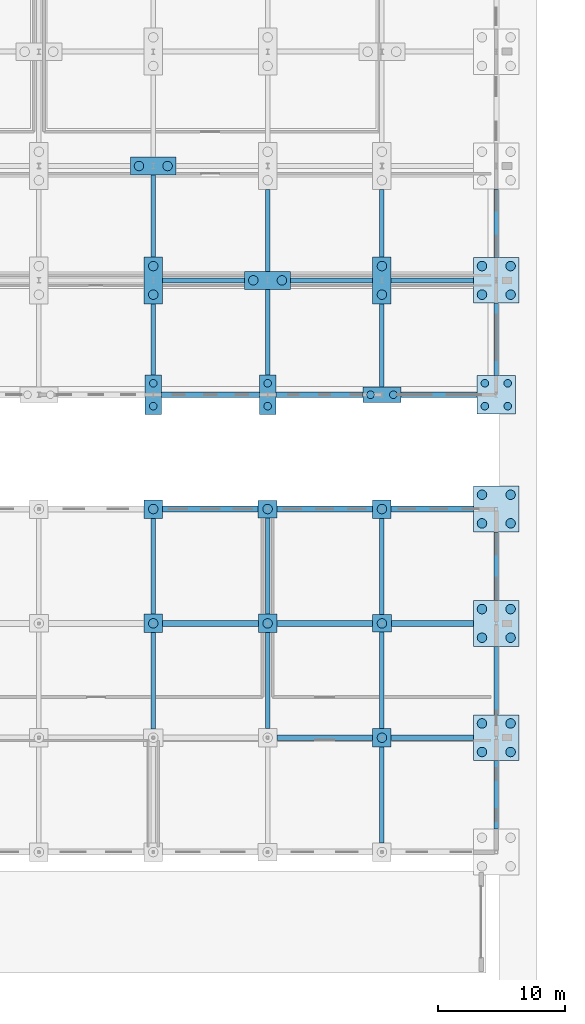
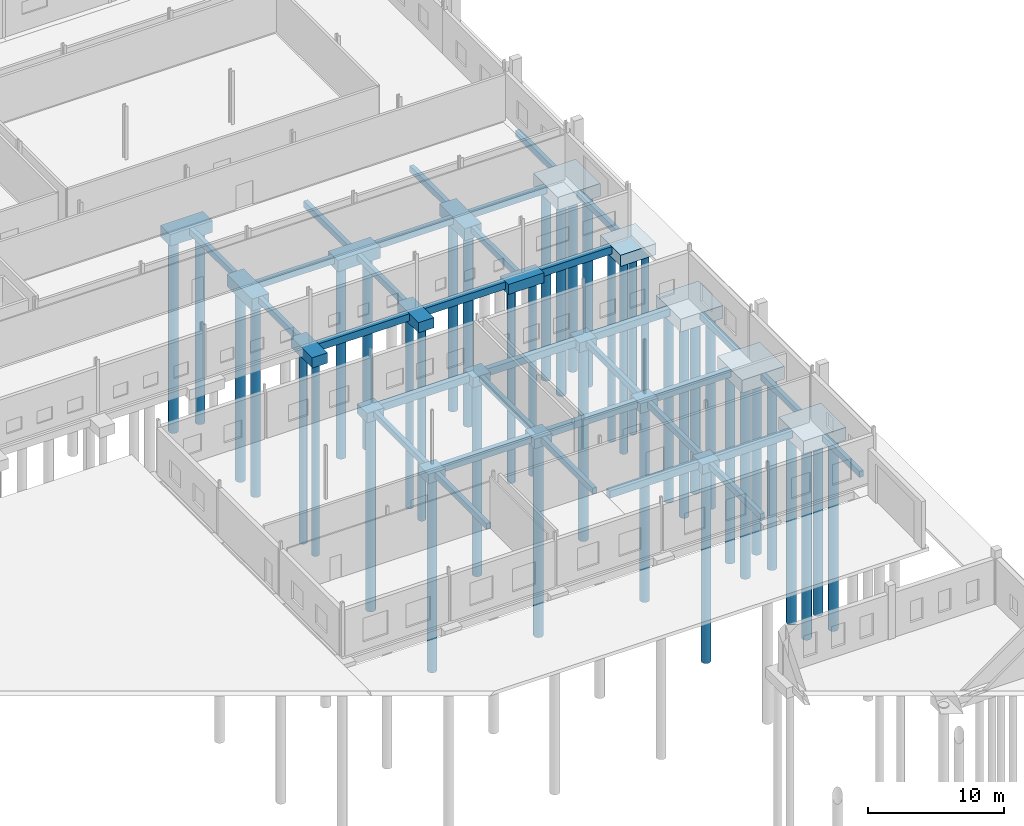
# One storey, part 15 of 112: 51 footings, 41 piles.
"""IFC4 building model written with IfcOpenShell, lengths in metres."""

from ifc_helpers import new_model, si_unit, direction, frame, origin, origin_2d, place, context, subcontext, project, spatial, polyline, rectangle, circle, outline, extrude, material, material_profile, profile_set, type_object, element, save


model = new_model("IFC4")

# Units and contexts
model_context = context("Model", 3, precision=1e-05, world=origin(), true_north=direction((0.0, 1.0)))
body_context = subcontext(model_context, "Body", "Model", "MODEL_VIEW")
ifc_project = project(units=[si_unit("LENGTHUNIT", "METRE"), si_unit("AREAUNIT", "SQUARE_METRE"), si_unit("VOLUMEUNIT", "CUBIC_METRE"), si_unit("PLANEANGLEUNIT", "RADIAN"), si_unit("MASSUNIT", "GRAM", prefix="KILO")], contexts=[model_context])

# Site, building, storey
site_placement = place(None, origin())
site = spatial("IfcSite", under=ifc_project, at=site_placement, CompositionType="ELEMENT")
building_placement = place(site_placement, origin())
building = spatial("IfcBuilding", under=site, at=building_placement, Name="Tharagai Park Tramway Depot", CompositionType="ELEMENT")
storey_placement = place(building_placement, origin())
storey = spatial("IfcBuildingStorey", under=building, at=storey_placement, Name="L00", CompositionType="ELEMENT", Elevation=0.0)

# Piles
ifc_material = material(Name="Concrete M40", Category="concrete")
ifc_material_profile_1 = material_profile(ifc_material, circle(Radius=0.375, at=origin_2d()), Name="PILE D750")
ifc_profile_set_1 = profile_set([ifc_material_profile_1], Name="Concrete M40")
pile_type_1 = type_object("IfcPileType", Name="BP-02", PredefinedType="BORED", material=ifc_profile_set_1)
for number, where, z_axis, x_axis, name in (
    (1, (189.0, 72.0, -1.050048828125), (0.0, 0.0, -1.0), (1.0, 0.0, 0.0), "Bored Pile BP-02 (189,72) #1"),
    (2, (189.0, 81.0, -1.050048828125), (0.0, 0.0, -1.0), (1.0, 0.0, 0.0), "Bored Pile BP-02 (189,81) #1"),
):
    element("IfcPile", number, at=place(storey_placement, frame(where, z_axis=z_axis, x_axis=x_axis)), inside=storey, type_object=pile_type_1, Name=name, PredefinedType="BORED", context=body_context, shape_type="SweptSolid", body=[
        extrude(circle(Radius=0.375, at=origin_2d()), origin(), (0.0, 0.0, 1.0), 17.449951171875),
    ])
for number, where, z_axis, x_axis, name in (
    (3, (189.0, 97.875, -1.280029296875), (0.0, 0.0, -1.0), (1.0, 0.0, 0.0), "Bored Pile BP-02 (189,99) #1"),
    (4, (189.0, 100.125, -1.280029296875), (0.0, 0.0, -1.0), (1.0, 0.0, 0.0), "Bored Pile BP-02 (189,99) #2"),
):
    element("IfcPile", number, at=place(storey_placement, frame(where, z_axis=z_axis, x_axis=x_axis)), inside=storey, type_object=pile_type_1, Name=name, PredefinedType="BORED", context=body_context, shape_type="SweptSolid", body=[
        extrude(circle(Radius=0.375, at=origin_2d()), origin(), (0.0, 0.0, 1.0), 17.219970703125),
    ])
for number, where, z_axis, x_axis, name in (
    (5, (187.875, 108.0, -1.25), (0.0, 0.0, -1.0), (1.0, 0.0, 0.0), "Bored Pile BP-02 (189,108) #1"),
    (6, (190.125, 108.0, -1.25), (0.0, 0.0, -1.0), (1.0, 0.0, 0.0), "Bored Pile BP-02 (189,108) #2"),
):
    element("IfcPile", number, at=place(storey_placement, frame(where, z_axis=z_axis, x_axis=x_axis)), inside=storey, type_object=pile_type_1, Name=name, PredefinedType="BORED", context=body_context, shape_type="SweptSolid", body=[
        extrude(circle(Radius=0.375, at=origin_2d()), origin(), (0.0, 0.0, 1.0), 17.25),
    ])
pile_1_placement = place(storey_placement, frame((198.0, 72.0, -1.050048828125), z_axis=(0.0, 0.0, -1.0), x_axis=(1.0, 0.0, 0.0)))
element("IfcPile", 7, at=pile_1_placement, inside=storey, type_object=pile_type_1, Name="Bored Pile BP-02 (198,72) #1", PredefinedType="BORED", context=body_context, shape_type="SweptSolid", body=[
    extrude(circle(Radius=0.375, at=origin_2d()), origin(), (0.0, 0.0, 1.0), 17.449951171875),
])
pile_2_placement = place(storey_placement, frame((198.0, 81.0, -1.080078125), z_axis=(0.0, 0.0, -1.0), x_axis=(1.0, 0.0, 0.0)))
element("IfcPile", 8, at=pile_2_placement, inside=storey, type_object=pile_type_1, Name="Bored Pile BP-02 (198,81) #1", PredefinedType="BORED", context=body_context, shape_type="SweptSolid", body=[
    extrude(circle(Radius=0.375, at=origin_2d()), origin(), (0.0, 0.0, 1.0), 17.419921875),
])
for number, where, z_axis, x_axis, name in (
    (9, (196.875, 99.0, -1.25), (0.0, 0.0, -1.0), (1.0, 0.0, 0.0), "Bored Pile BP-02 (198,99) #1"),
    (10, (199.125, 99.0, -1.25), (0.0, 0.0, -1.0), (1.0, 0.0, 0.0), "Bored Pile BP-02 (198,99) #2"),
):
    element("IfcPile", number, at=place(storey_placement, frame(where, z_axis=z_axis, x_axis=x_axis)), inside=storey, type_object=pile_type_1, Name=name, PredefinedType="BORED", context=body_context, shape_type="SweptSolid", body=[
        extrude(circle(Radius=0.375, at=origin_2d()), origin(), (0.0, 0.0, 1.0), 17.25),
    ])
pile_3_placement = place(storey_placement, frame((207.0, 63.0, -1.050048828125), z_axis=(0.0, 0.0, -1.0), x_axis=(1.0, 0.0, 0.0)))
element("IfcPile", 11, at=pile_3_placement, inside=storey, type_object=pile_type_1, Name="Bored Pile BP-02 (207,63) #1", PredefinedType="BORED", context=body_context, shape_type="SweptSolid", body=[
    extrude(circle(Radius=0.375, at=origin_2d()), origin(), (0.0, 0.0, 1.0), 17.449951171875),
])
pile_4_placement = place(storey_placement, frame((207.0, 72.0, -1.080078125), z_axis=(0.0, 0.0, -1.0), x_axis=(1.0, 0.0, 0.0)))
element("IfcPile", 12, at=pile_4_placement, inside=storey, type_object=pile_type_1, Name="Bored Pile BP-02 (207,72) #1", PredefinedType="BORED", context=body_context, shape_type="SweptSolid", body=[
    extrude(circle(Radius=0.375, at=origin_2d()), origin(), (0.0, 0.0, 1.0), 17.419921875),
])
pile_5_placement = place(storey_placement, frame((207.0, 81.0, -1.050048828125), z_axis=(0.0, 0.0, -1.0), x_axis=(1.0, 0.0, 0.0)))
element("IfcPile", 13, at=pile_5_placement, inside=storey, type_object=pile_type_1, Name="Bored Pile BP-02 (207,81) #1", PredefinedType="BORED", context=body_context, shape_type="SweptSolid", body=[
    extrude(circle(Radius=0.375, at=origin_2d()), origin(), (0.0, 0.0, 1.0), 17.449951171875),
])
for number, where, z_axis, x_axis, name in (
    (14, (207.0, 97.875, -1.280029296875), (0.0, 0.0, -1.0), (1.0, 0.0, 0.0), "Bored Pile BP-02 (207,99) #1"),
    (15, (207.0, 100.125, -1.280029296875), (0.0, 0.0, -1.0), (1.0, 0.0, 0.0), "Bored Pile BP-02 (207,99) #2"),
):
    element("IfcPile", number, at=place(storey_placement, frame(where, z_axis=z_axis, x_axis=x_axis)), inside=storey, type_object=pile_type_1, Name=name, PredefinedType="BORED", context=body_context, shape_type="SweptSolid", body=[
        extrude(circle(Radius=0.375, at=origin_2d()), origin(), (0.0, 0.0, 1.0), 17.219970703125),
    ])
for number, where, z_axis, x_axis, name in (
    (16, (214.875, 61.875, -1.35009765625), (0.0, 0.0, -1.0), (1.0, 0.0, 0.0), "Bored Pile BP-02 (216,63) #1"),
    (17, (217.125, 61.875, -1.35009765625), (0.0, 0.0, -1.0), (1.0, 0.0, 0.0), "Bored Pile BP-02 (216,63) #2"),
    (18, (214.875, 64.125, -1.35009765625), (0.0, 0.0, -1.0), (1.0, 0.0, 0.0), "Bored Pile BP-02 (216,63) #3"),
    (19, (217.125, 64.125, -1.35009765625), (0.0, 0.0, -1.0), (1.0, 0.0, 0.0), "Bored Pile BP-02 (216,63) #4"),
    (20, (214.875, 70.875, -1.35009765625), (0.0, 0.0, -1.0), (1.0, 0.0, 0.0), "Bored Pile BP-02 (216,72) #1"),
    (21, (217.125, 70.875, -1.35009765625), (0.0, 0.0, -1.0), (1.0, 0.0, 0.0), "Bored Pile BP-02 (216,72) #2"),
    (22, (214.875, 73.125, -1.35009765625), (0.0, 0.0, -1.0), (1.0, 0.0, 0.0), "Bored Pile BP-02 (216,72) #3"),
    (23, (217.125, 73.125, -1.35009765625), (0.0, 0.0, -1.0), (1.0, 0.0, 0.0), "Bored Pile BP-02 (216,72) #4"),
    (24, (214.875, 79.875, -1.35009765625), (0.0, 0.0, -1.0), (1.0, 0.0, 0.0), "Bored Pile BP-02 (216,81) #1"),
    (25, (217.125, 79.875, -1.35009765625), (0.0, 0.0, -1.0), (1.0, 0.0, 0.0), "Bored Pile BP-02 (216,81) #2"),
    (26, (214.875, 82.125, -1.35009765625), (0.0, 0.0, -1.0), (1.0, 0.0, 0.0), "Bored Pile BP-02 (216,81) #3"),
    (27, (217.125, 82.125, -1.35009765625), (0.0, 0.0, -1.0), (1.0, 0.0, 0.0), "Bored Pile BP-02 (216,81) #4"),
    (28, (214.875, 97.875, -1.35009765625), (0.0, 0.0, -1.0), (1.0, 0.0, 0.0), "Bored Pile BP-02 (216,99) #1"),
    (29, (217.125, 97.875, -1.35009765625), (0.0, 0.0, -1.0), (1.0, 0.0, 0.0), "Bored Pile BP-02 (216,99) #2"),
    (30, (214.875, 100.125, -1.35009765625), (0.0, 0.0, -1.0), (1.0, 0.0, 0.0), "Bored Pile BP-02 (216,99) #3"),
    (31, (217.125, 100.125, -1.35009765625), (0.0, 0.0, -1.0), (1.0, 0.0, 0.0), "Bored Pile BP-02 (216,99) #4"),
):
    element("IfcPile", number, at=place(storey_placement, frame(where, z_axis=z_axis, x_axis=x_axis)), inside=storey, type_object=pile_type_1, Name=name, PredefinedType="BORED", context=body_context, shape_type="SweptSolid", body=[
        extrude(circle(Radius=0.375, at=origin_2d()), origin(), (0.0, 0.0, 1.0), 17.14990234375),
    ])
ifc_material_profile_2 = material_profile(ifc_material, circle(Radius=0.300048828125, at=origin_2d()), Name="PILE D600")
ifc_profile_set_2 = profile_set([ifc_material_profile_2], Name="Concrete M40")
pile_type_2 = type_object("IfcPileType", Name="BP-03", PredefinedType="BORED", material=ifc_profile_set_2)
for number, where, z_axis, x_axis, name in (
    (32, (189.0, 89.10009765625, -1.1201171875), (0.0, 0.0, -1.0), (1.0, 0.0, 0.0), "Bored Pile BP-03 (189,90) #1"),
    (33, (189.0, 90.89990234375, -1.1201171875), (0.0, 0.0, -1.0), (1.0, 0.0, 0.0), "Bored Pile BP-03 (189,90) #2"),
    (34, (198.0, 89.10009765625, -1.1201171875), (0.0, 0.0, -1.0), (1.0, 0.0, 0.0), "Bored Pile BP-03 (198,90) #1"),
    (35, (198.0, 90.89990234375, -1.1201171875), (0.0, 0.0, -1.0), (1.0, 0.0, 0.0), "Bored Pile BP-03 (198,90) #2"),
):
    element("IfcPile", number, at=place(storey_placement, frame(where, z_axis=z_axis, x_axis=x_axis)), inside=storey, type_object=pile_type_2, Name=name, PredefinedType="BORED", context=body_context, shape_type="SweptSolid", body=[
        extrude(circle(Radius=0.300048828125, at=origin_2d()), origin(), (0.0, 0.0, 1.0), 17.3798828125),
    ])
for number, where, z_axis, x_axis, name in (
    (36, (206.10009765625, 90.0, -1.10009765625), (0.0, 0.0, -1.0), (1.0, 0.0, 0.0), "Bored Pile BP-03 (207,90) #1"),
    (37, (207.89990234375, 90.0, -1.10009765625), (0.0, 0.0, -1.0), (1.0, 0.0, 0.0), "Bored Pile BP-03 (207,90) #2"),
):
    element("IfcPile", number, at=place(storey_placement, frame(where, z_axis=z_axis, x_axis=x_axis)), inside=storey, type_object=pile_type_2, Name=name, PredefinedType="BORED", context=body_context, shape_type="SweptSolid", body=[
        extrude(circle(Radius=0.300048828125, at=origin_2d()), origin(), (0.0, 0.0, 1.0), 17.39990234375),
    ])
for number, where, z_axis, x_axis, name in (
    (38, (215.10009765625, 89.10009765625, -1.199951171875), (0.0, 0.0, -1.0), (1.0, 0.0, 0.0), "Bored Pile BP-03 (216,90) #1"),
    (39, (216.89990234375, 89.10009765625, -1.199951171875), (0.0, 0.0, -1.0), (1.0, 0.0, 0.0), "Bored Pile BP-03 (216,90) #2"),
    (40, (215.10009765625, 90.89990234375, -1.199951171875), (0.0, 0.0, -1.0), (1.0, 0.0, 0.0), "Bored Pile BP-03 (216,90) #3"),
    (41, (216.89990234375, 90.89990234375, -1.199951171875), (0.0, 0.0, -1.0), (1.0, 0.0, 0.0), "Bored Pile BP-03 (216,90) #4"),
):
    element("IfcPile", number, at=place(storey_placement, frame(where, z_axis=z_axis, x_axis=x_axis)), inside=storey, type_object=pile_type_2, Name=name, PredefinedType="BORED", context=body_context, shape_type="SweptSolid", body=[
        extrude(circle(Radius=0.300048828125, at=origin_2d()), origin(), (0.0, 0.0, 1.0), 17.300048828125),
    ])

# Footings
footing_type_1 = type_object("IfcFootingType", Name="GB-01", PredefinedType="FOOTING_BEAM", material=ifc_material)
footing_1_placement = place(storey_placement, frame((0.0, 0.0, -0.949951171875)))
element("IfcFooting", 42, at=footing_1_placement, inside=storey, type_object=footing_type_1, Name="Ground Tie Beam GB-01", PredefinedType="FOOTING_BEAM", context=body_context, shape_type="SweptSolid", body=[
    extrude(outline(polyline([(198.72509765625, 62.77490234375), (206.27490234375, 62.77490234375), (206.27490234375, 63.22509765625), (198.72509765625, 63.22509765625), (198.72509765625, 62.77490234375)])), origin(), (0.0, 0.0, 1.0), 0.64990234375),
])
footing_2_placement = place(storey_placement, frame((0.0, 0.0, -0.949951171875)))
element("IfcFooting", 43, at=footing_2_placement, inside=storey, type_object=footing_type_1, Name="Ground Tie Beam GB-01", PredefinedType="FOOTING_BEAM", context=body_context, shape_type="SweptSolid", body=[
    extrude(outline(polyline([(207.72509765625, 62.77490234375), (214.199951171875, 62.77490234375), (214.199951171875, 63.22509765625), (207.72509765625, 63.22509765625), (207.72509765625, 62.77490234375)])), origin(), (0.0, 0.0, 1.0), 0.64990234375),
])
footing_3_placement = place(storey_placement, frame((0.0, 0.0, -0.949951171875)))
element("IfcFooting", 44, at=footing_3_placement, inside=storey, type_object=footing_type_1, Name="Ground Tie Beam GB-01", PredefinedType="FOOTING_BEAM", context=body_context, shape_type="SweptSolid", body=[
    extrude(outline(polyline([(189.72509765625, 71.77490234375), (197.27490234375, 71.77490234375), (197.27490234375, 72.22509765625), (189.72509765625, 72.22509765625), (189.72509765625, 71.77490234375)])), origin(), (0.0, 0.0, 1.0), 0.64990234375),
])
footing_4_placement = place(storey_placement, frame((0.0, 0.0, -0.949951171875)))
element("IfcFooting", 45, at=footing_4_placement, inside=storey, type_object=footing_type_1, Name="Ground Tie Beam GB-01", PredefinedType="FOOTING_BEAM", context=body_context, shape_type="SweptSolid", body=[
    extrude(outline(polyline([(198.72509765625, 71.77490234375), (206.25, 71.77490234375), (206.25, 72.22509765625), (198.72509765625, 72.22509765625), (198.72509765625, 71.77490234375)])), origin(), (0.0, 0.0, 1.0), 0.64990234375),
])
footing_5_placement = place(storey_placement, frame((0.0, 0.0, -0.949951171875)))
element("IfcFooting", 46, at=footing_5_placement, inside=storey, type_object=footing_type_1, Name="Ground Tie Beam GB-01", PredefinedType="FOOTING_BEAM", context=body_context, shape_type="SweptSolid", body=[
    extrude(outline(polyline([(207.75, 71.77490234375), (214.199951171875, 71.77490234375), (214.199951171875, 72.22509765625), (207.75, 72.22509765625), (207.75, 71.77490234375)])), origin(), (0.0, 0.0, 1.0), 0.64990234375),
])
footing_6_placement = place(storey_placement, frame((0.0, 0.0, -0.949951171875)))
element("IfcFooting", 47, at=footing_6_placement, inside=storey, type_object=footing_type_1, Name="Ground Tie Beam GB-01", PredefinedType="FOOTING_BEAM", context=body_context, shape_type="SweptSolid", body=[
    extrude(outline(polyline([(189.72509765625, 80.77490234375), (197.25, 80.77490234375), (197.25, 81.22509765625), (189.72509765625, 81.22509765625), (189.72509765625, 80.77490234375)])), origin(), (0.0, 0.0, 1.0), 0.64990234375),
])
footing_7_placement = place(storey_placement, frame((0.0, 0.0, -0.949951171875)))
element("IfcFooting", 48, at=footing_7_placement, inside=storey, type_object=footing_type_1, Name="Ground Tie Beam GB-01", PredefinedType="FOOTING_BEAM", context=body_context, shape_type="SweptSolid", body=[
    extrude(outline(polyline([(198.75, 80.77490234375), (206.27490234375, 80.77490234375), (206.27490234375, 81.22509765625), (198.75, 81.22509765625), (198.75, 80.77490234375)])), origin(), (0.0, 0.0, 1.0), 0.64990234375),
])
footing_8_placement = place(storey_placement, frame((0.0, 0.0, -0.949951171875)))
element("IfcFooting", 49, at=footing_8_placement, inside=storey, type_object=footing_type_1, Name="Ground Tie Beam GB-01", PredefinedType="FOOTING_BEAM", context=body_context, shape_type="SweptSolid", body=[
    extrude(outline(polyline([(207.72509765625, 80.77490234375), (214.199951171875, 80.77490234375), (214.199951171875, 81.22509765625), (207.72509765625, 81.22509765625), (207.72509765625, 80.77490234375)])), origin(), (0.0, 0.0, 1.0), 0.64990234375),
])
footing_9_placement = place(storey_placement, frame((0.0, 0.0, -0.949951171875)))
element("IfcFooting", 50, at=footing_9_placement, inside=storey, type_object=footing_type_1, Name="Ground Tie Beam GB-01", PredefinedType="FOOTING_BEAM", context=body_context, shape_type="SweptSolid", body=[
    extrude(outline(polyline([(189.64990234375, 89.77490234375), (197.35009765625, 89.77490234375), (197.35009765625, 90.22509765625), (189.64990234375, 90.22509765625), (189.64990234375, 89.77490234375)])), origin(), (0.0, 0.0, 1.0), 0.64990234375),
])
footing_10_placement = place(storey_placement, frame((0.0, 0.0, -0.949951171875)))
element("IfcFooting", 51, at=footing_10_placement, inside=storey, type_object=footing_type_1, Name="Ground Tie Beam GB-01", PredefinedType="FOOTING_BEAM", context=body_context, shape_type="SweptSolid", body=[
    extrude(outline(polyline([(198.64990234375, 89.77490234375), (205.5, 89.77490234375), (205.5, 90.22509765625), (198.64990234375, 90.22509765625), (198.64990234375, 89.77490234375)])), origin(), (0.0, 0.0, 1.0), 0.64990234375),
])
footing_11_placement = place(storey_placement, frame((0.0, 0.0, -0.949951171875)))
element("IfcFooting", 52, at=footing_11_placement, inside=storey, type_object=footing_type_1, Name="Ground Tie Beam GB-01", PredefinedType="FOOTING_BEAM", context=body_context, shape_type="SweptSolid", body=[
    extrude(outline(polyline([(208.5, 89.77490234375), (214.5, 89.77490234375), (214.5, 90.22509765625), (208.5, 90.22509765625), (208.5, 89.77490234375)])), origin(), (0.0, 0.0, 1.0), 0.64990234375),
])
footing_type_2 = type_object("IfcFootingType", Name="GB-03", PredefinedType="FOOTING_BEAM", material=ifc_material)
footing_12_placement = place(storey_placement, frame((0.0, 0.0, -0.85009765625)))
element("IfcFooting", 53, at=footing_12_placement, inside=storey, type_object=footing_type_2, Name="Ground Tie Beam GB-03", PredefinedType="FOOTING_BEAM", context=body_context, shape_type="SweptSolid", body=[
    extrude(outline(polyline([(188.824951171875, 63.68994140625), (189.175048828125, 63.68994140625), (189.175048828125, 71.27490234375), (188.824951171875, 71.27490234375), (188.824951171875, 63.68994140625)])), origin(), (0.0, 0.0, 1.0), 0.550048828125),
])
footing_13_placement = place(storey_placement, frame((0.0, 0.0, -0.85009765625)))
element("IfcFooting", 54, at=footing_13_placement, inside=storey, type_object=footing_type_2, Name="Ground Tie Beam GB-03", PredefinedType="FOOTING_BEAM", context=body_context, shape_type="SweptSolid", body=[
    extrude(outline(polyline([(188.824951171875, 72.72509765625), (189.175048828125, 72.72509765625), (189.175048828125, 80.27490234375), (188.824951171875, 80.27490234375), (188.824951171875, 72.72509765625)])), origin(), (0.0, 0.0, 1.0), 0.550048828125),
])
footing_14_placement = place(storey_placement, frame((0.0, 0.0, -0.85009765625)))
element("IfcFooting", 55, at=footing_14_placement, inside=storey, type_object=footing_type_2, Name="Ground Tie Beam GB-03", PredefinedType="FOOTING_BEAM", context=body_context, shape_type="SweptSolid", body=[
    extrude(outline(polyline([(188.824951171875, 91.550048828125), (189.175048828125, 91.550048828125), (189.175048828125, 97.14990234375), (188.824951171875, 97.14990234375), (188.824951171875, 91.550048828125)])), origin(), (0.0, 0.0, 1.0), 0.550048828125),
])
footing_15_placement = place(storey_placement, frame((0.0, 0.0, -0.85009765625)))
element("IfcFooting", 56, at=footing_15_placement, inside=storey, type_object=footing_type_2, Name="Ground Tie Beam GB-03", PredefinedType="FOOTING_BEAM", context=body_context, shape_type="SweptSolid", body=[
    extrude(outline(polyline([(188.824951171875, 100.85009765625), (189.175048828125, 100.85009765625), (189.175048828125, 107.300048828125), (188.824951171875, 107.300048828125), (188.824951171875, 100.85009765625)])), origin(), (0.0, 0.0, 1.0), 0.550048828125),
])
footing_16_placement = place(storey_placement, frame((0.0, 0.0, -0.85009765625)))
element("IfcFooting", 57, at=footing_16_placement, inside=storey, type_object=footing_type_2, Name="Ground Tie Beam GB-03", PredefinedType="FOOTING_BEAM", context=body_context, shape_type="SweptSolid", body=[
    extrude(outline(polyline([(197.824951171875, 63.72509765625), (198.175048828125, 63.72509765625), (198.175048828125, 71.27490234375), (197.824951171875, 71.27490234375), (197.824951171875, 63.72509765625)])), origin(), (0.0, 0.0, 1.0), 0.550048828125),
])
footing_17_placement = place(storey_placement, frame((0.0, 0.0, -0.85009765625)))
element("IfcFooting", 58, at=footing_17_placement, inside=storey, type_object=footing_type_2, Name="Ground Tie Beam GB-03", PredefinedType="FOOTING_BEAM", context=body_context, shape_type="SweptSolid", body=[
    extrude(outline(polyline([(197.824951171875, 72.72509765625), (198.175048828125, 72.72509765625), (198.175048828125, 80.31005859375), (197.824951171875, 80.31005859375), (197.824951171875, 72.72509765625)])), origin(), (0.0, 0.0, 1.0), 0.550048828125),
])
footing_18_placement = place(storey_placement, frame((0.0, 0.0, -0.85009765625)))
element("IfcFooting", 59, at=footing_18_placement, inside=storey, type_object=footing_type_2, Name="Ground Tie Beam GB-03", PredefinedType="FOOTING_BEAM", context=body_context, shape_type="SweptSolid", body=[
    extrude(outline(polyline([(197.824951171875, 91.550048828125), (198.175048828125, 91.550048828125), (198.175048828125, 98.300048828125), (197.824951171875, 98.300048828125), (197.824951171875, 91.550048828125)])), origin(), (0.0, 0.0, 1.0), 0.550048828125),
])
footing_19_placement = place(storey_placement, frame((0.0, 0.0, -0.85009765625)))
element("IfcFooting", 60, at=footing_19_placement, inside=storey, type_object=footing_type_2, Name="Ground Tie Beam GB-03", PredefinedType="FOOTING_BEAM", context=body_context, shape_type="SweptSolid", body=[
    extrude(outline(polyline([(197.824951171875, 99.699951171875), (198.175048828125, 99.699951171875), (198.175048828125, 106.14990234375), (197.824951171875, 106.14990234375), (197.824951171875, 99.699951171875)])), origin(), (0.0, 0.0, 1.0), 0.550048828125),
])
footing_20_placement = place(storey_placement, frame((0.0, 0.0, -0.85009765625)))
element("IfcFooting", 61, at=footing_20_placement, inside=storey, type_object=footing_type_2, Name="Ground Tie Beam GB-03", PredefinedType="FOOTING_BEAM", context=body_context, shape_type="SweptSolid", body=[
    extrude(outline(polyline([(206.824951171875, 54.72509765625), (207.175048828125, 54.72509765625), (207.175048828125, 62.27490234375), (206.824951171875, 62.27490234375), (206.824951171875, 54.72509765625)])), origin(), (0.0, 0.0, 1.0), 0.550048828125),
])
footing_21_placement = place(storey_placement, frame((0.0, 0.0, -0.85009765625)))
element("IfcFooting", 62, at=footing_21_placement, inside=storey, type_object=footing_type_2, Name="Ground Tie Beam GB-03", PredefinedType="FOOTING_BEAM", context=body_context, shape_type="SweptSolid", body=[
    extrude(outline(polyline([(206.824951171875, 63.72509765625), (207.175048828125, 63.72509765625), (207.175048828125, 71.31005859375), (206.824951171875, 71.31005859375), (206.824951171875, 63.72509765625)])), origin(), (0.0, 0.0, 1.0), 0.550048828125),
])
footing_22_placement = place(storey_placement, frame((0.0, 0.0, -0.85009765625)))
element("IfcFooting", 63, at=footing_22_placement, inside=storey, type_object=footing_type_2, Name="Ground Tie Beam GB-03", PredefinedType="FOOTING_BEAM", context=body_context, shape_type="SweptSolid", body=[
    extrude(outline(polyline([(206.824951171875, 72.68994140625), (207.175048828125, 72.68994140625), (207.175048828125, 80.27490234375), (206.824951171875, 80.27490234375), (206.824951171875, 72.68994140625)])), origin(), (0.0, 0.0, 1.0), 0.550048828125),
])
footing_23_placement = place(storey_placement, frame((0.0, 0.0, -0.85009765625)))
element("IfcFooting", 64, at=footing_23_placement, inside=storey, type_object=footing_type_2, Name="Ground Tie Beam GB-03", PredefinedType="FOOTING_BEAM", context=body_context, shape_type="SweptSolid", body=[
    extrude(outline(polyline([(206.824951171875, 90.625), (207.175048828125, 90.625), (207.175048828125, 97.14990234375), (206.824951171875, 97.14990234375), (206.824951171875, 90.625)])), origin(), (0.0, 0.0, 1.0), 0.550048828125),
])
footing_24_placement = place(storey_placement, frame((0.0, 0.0, -0.85009765625)))
element("IfcFooting", 65, at=footing_24_placement, inside=storey, type_object=footing_type_2, Name="Ground Tie Beam GB-03", PredefinedType="FOOTING_BEAM", context=body_context, shape_type="SweptSolid", body=[
    extrude(outline(polyline([(206.824951171875, 100.85009765625), (207.175048828125, 100.85009765625), (207.175048828125, 106.14990234375), (206.824951171875, 106.14990234375), (206.824951171875, 100.85009765625)])), origin(), (0.0, 0.0, 1.0), 0.550048828125),
])
footing_25_placement = place(storey_placement, frame((0.0, 0.0, -0.85009765625)))
element("IfcFooting", 66, at=footing_25_placement, inside=storey, type_object=footing_type_2, Name="Ground Tie Beam GB-03", PredefinedType="FOOTING_BEAM", context=body_context, shape_type="SweptSolid", body=[
    extrude(outline(polyline([(215.824951171875, 55.800048828125), (216.175048828125, 55.800048828125), (216.175048828125, 61.199951171875), (215.824951171875, 61.199951171875), (215.824951171875, 55.800048828125)])), origin(), (0.0, 0.0, 1.0), 0.550048828125),
])
footing_26_placement = place(storey_placement, frame((0.0, 0.0, -0.85009765625)))
element("IfcFooting", 67, at=footing_26_placement, inside=storey, type_object=footing_type_2, Name="Ground Tie Beam GB-03", PredefinedType="FOOTING_BEAM", context=body_context, shape_type="SweptSolid", body=[
    extrude(outline(polyline([(215.824951171875, 64.800048828125), (216.175048828125, 64.800048828125), (216.175048828125, 70.199951171875), (215.824951171875, 70.199951171875), (215.824951171875, 64.800048828125)])), origin(), (0.0, 0.0, 1.0), 0.550048828125),
])
footing_27_placement = place(storey_placement, frame((0.0, 0.0, -0.85009765625)))
element("IfcFooting", 68, at=footing_27_placement, inside=storey, type_object=footing_type_2, Name="Ground Tie Beam GB-03", PredefinedType="FOOTING_BEAM", context=body_context, shape_type="SweptSolid", body=[
    extrude(outline(polyline([(215.824951171875, 73.800048828125), (216.175048828125, 73.800048828125), (216.175048828125, 79.199951171875), (215.824951171875, 79.199951171875), (215.824951171875, 73.800048828125)])), origin(), (0.0, 0.0, 1.0), 0.550048828125),
])
footing_28_placement = place(storey_placement, frame((0.0, 0.0, -0.85009765625)))
element("IfcFooting", 69, at=footing_28_placement, inside=storey, type_object=footing_type_2, Name="Ground Tie Beam GB-03", PredefinedType="FOOTING_BEAM", context=body_context, shape_type="SweptSolid", body=[
    extrude(outline(polyline([(215.824951171875, 91.5), (216.175048828125, 91.5), (216.175048828125, 97.199951171875), (215.824951171875, 97.199951171875), (215.824951171875, 91.5)])), origin(), (0.0, 0.0, 1.0), 0.550048828125),
])
footing_29_placement = place(storey_placement, frame((0.0, 0.0, -0.85009765625)))
element("IfcFooting", 70, at=footing_29_placement, inside=storey, type_object=footing_type_2, Name="Ground Tie Beam GB-03", PredefinedType="FOOTING_BEAM", context=body_context, shape_type="SweptSolid", body=[
    extrude(outline(polyline([(215.824951171875, 100.800048828125), (216.175048828125, 100.800048828125), (216.175048828125, 106.199951171875), (215.824951171875, 106.199951171875), (215.824951171875, 100.800048828125)])), origin(), (0.0, 0.0, 1.0), 0.550048828125),
])
footing_type_3 = type_object("IfcFootingType", Name="GB-04", PredefinedType="FOOTING_BEAM", material=ifc_material)
footing_30_placement = place(storey_placement, frame((0.0, 0.0, -0.89990234375)))
element("IfcFooting", 71, at=footing_30_placement, inside=storey, type_object=footing_type_3, Name="Ground Tie Beam GB-04", PredefinedType="FOOTING_BEAM", context=body_context, shape_type="SweptSolid", body=[
    extrude(outline(polyline([(189.72509765625, 98.800048828125), (196.199951171875, 98.800048828125), (196.199951171875, 99.199951171875), (189.72509765625, 99.199951171875), (189.72509765625, 98.800048828125)])), origin(), (0.0, 0.0, 1.0), 0.599853515625),
])
footing_31_placement = place(storey_placement, frame((0.0, 0.0, -0.89990234375)))
element("IfcFooting", 72, at=footing_31_placement, inside=storey, type_object=footing_type_3, Name="Ground Tie Beam GB-04", PredefinedType="FOOTING_BEAM", context=body_context, shape_type="SweptSolid", body=[
    extrude(outline(polyline([(199.800048828125, 98.800048828125), (206.27490234375, 98.800048828125), (206.27490234375, 99.199951171875), (199.800048828125, 99.199951171875), (199.800048828125, 98.800048828125)])), origin(), (0.0, 0.0, 1.0), 0.599853515625),
])
footing_32_placement = place(storey_placement, frame((0.0, 0.0, -0.89990234375)))
element("IfcFooting", 73, at=footing_32_placement, inside=storey, type_object=footing_type_3, Name="Ground Tie Beam GB-04", PredefinedType="FOOTING_BEAM", context=body_context, shape_type="SweptSolid", body=[
    extrude(outline(polyline([(207.72509765625, 98.800048828125), (214.199951171875, 98.800048828125), (214.199951171875, 99.199951171875), (207.72509765625, 99.199951171875), (207.72509765625, 98.800048828125)])), origin(), (0.0, 0.0, 1.0), 0.599853515625),
])
footing_type_4 = type_object("IfcFootingType", Name="PC-02", PredefinedType="PILE_CAP", material=ifc_material)
footing_33_placement = place(storey_placement, frame((216.0, 90.0, -1.300048828125), z_axis=(0.0, 0.0, 1.0), x_axis=(1.0, 0.0, 0.0)))
element("IfcFooting", 74, at=footing_33_placement, inside=storey, type_object=footing_type_4, Name="Pile Cap PC-02 (216,90)", PredefinedType="PILE_CAP", context=body_context, shape_type="SweptSolid", body=[
    extrude(rectangle(XDim=3.0, YDim=3.0, at=origin_2d()), origin(), (0.0, 0.0, 1.0), 1.0),
])
footing_type_5 = type_object("IfcFootingType", Name="PC-03", PredefinedType="PILE_CAP", material=ifc_material)
for number, where, z_axis, x_axis, name in (
    (75, (216.0, 63.0, -1.449951171875), (0.0, 0.0, 1.0), (1.0, 0.0, 0.0), "Pile Cap PC-03 (216,63)"),
    (76, (216.0, 72.0, -1.449951171875), (0.0, 0.0, 1.0), (1.0, 0.0, 0.0), "Pile Cap PC-03 (216,72)"),
    (77, (216.0, 81.0, -1.449951171875), (0.0, 0.0, 1.0), (1.0, 0.0, 0.0), "Pile Cap PC-03 (216,81)"),
    (78, (216.0, 99.0, -1.449951171875), (0.0, 0.0, 1.0), (1.0, 0.0, 0.0), "Pile Cap PC-03 (216,99)"),
):
    element("IfcFooting", number, at=place(storey_placement, frame(where, z_axis=z_axis, x_axis=x_axis)), inside=storey, type_object=footing_type_5, Name=name, PredefinedType="PILE_CAP", context=body_context, shape_type="SweptSolid", body=[
        extrude(rectangle(XDim=3.60009765625, YDim=3.60009765625, at=origin_2d()), origin(), (0.0, 0.0, 1.0), 1.14990234375),
    ])
footing_type_6 = type_object("IfcFootingType", Name="PC-06", PredefinedType="PILE_CAP", material=ifc_material)
footing_34_placement = place(storey_placement, frame((207.0, 90.0, -1.199951171875), z_axis=(0.0, 0.0, 1.0), x_axis=(1.0, 0.0, 0.0)))
element("IfcFooting", 79, at=footing_34_placement, inside=storey, type_object=footing_type_6, Name="Pile Cap PC-06 (207,90)", PredefinedType="PILE_CAP", context=body_context, shape_type="SweptSolid", body=[
    extrude(rectangle(XDim=3.0, YDim=1.25, at=origin_2d()), origin(), (0.0, 0.0, 1.0), 0.89990234375),
])
footing_type_7 = type_object("IfcFootingType", Name="PC-08", PredefinedType="PILE_CAP", material=ifc_material)
for number, where, z_axis, x_axis, name in (
    (80, (189.0, 90.0, -1.219970703125), (0.0, 0.0, 1.0), (1.0, 0.0, 0.0), "Pile Cap PC-08 (189,90)"),
    (81, (198.0, 90.0, -1.219970703125), (0.0, 0.0, 1.0), (1.0, 0.0, 0.0), "Pile Cap PC-08 (198,90)"),
):
    element("IfcFooting", number, at=place(storey_placement, frame(where, z_axis=z_axis, x_axis=x_axis)), inside=storey, type_object=footing_type_7, Name=name, PredefinedType="PILE_CAP", context=body_context, shape_type="SweptSolid", body=[
        extrude(rectangle(XDim=1.300048828125, YDim=3.10009765625, at=origin_2d()), origin(), (0.0, 0.0, 1.0), 0.919921875),
    ])
footing_type_8 = type_object("IfcFootingType", Name="PC-10", PredefinedType="PILE_CAP", material=ifc_material)
for number, where, z_axis, x_axis, name in (
    (82, (189.0, 72.0, -1.150146484375), (0.0, 0.0, 1.0), (1.0, 0.0, 0.0), "Pile Cap PC-10 (189,72)"),
    (83, (189.0, 81.0, -1.150146484375), (0.0, 0.0, 1.0), (1.0, 0.0, 0.0), "Pile Cap PC-10 (189,81)"),
    (84, (198.0, 72.0, -1.150146484375), (0.0, 0.0, 1.0), (1.0, 0.0, 0.0), "Pile Cap PC-10 (198,72)"),
    (85, (207.0, 63.0, -1.150146484375), (0.0, 0.0, 1.0), (1.0, 0.0, 0.0), "Pile Cap PC-10 (207,63)"),
    (86, (207.0, 81.0, -1.150146484375), (0.0, 0.0, 1.0), (1.0, 0.0, 0.0), "Pile Cap PC-10 (207,81)"),
):
    element("IfcFooting", number, at=place(storey_placement, frame(where, z_axis=z_axis, x_axis=x_axis)), inside=storey, type_object=footing_type_8, Name=name, PredefinedType="PILE_CAP", context=body_context, shape_type="SweptSolid", body=[
        extrude(rectangle(XDim=1.449951171875, YDim=1.449951171875, at=origin_2d()), origin(), (0.0, 0.0, 1.0), 0.85009765625),
    ])
footing_type_9 = type_object("IfcFootingType", Name="PC-11", PredefinedType="PILE_CAP", material=ifc_material)
for number, where, z_axis, x_axis, name in (
    (87, (189.0, 108.0, -1.35009765625), (0.0, 0.0, 1.0), (1.0, 0.0, 0.0), "Pile Cap PC-11 (189,108)"),
    (88, (198.0, 99.0, -1.35009765625), (0.0, 0.0, 1.0), (1.0, 0.0, 0.0), "Pile Cap PC-11 (198,99)"),
):
    element("IfcFooting", number, at=place(storey_placement, frame(where, z_axis=z_axis, x_axis=x_axis)), inside=storey, type_object=footing_type_9, Name=name, PredefinedType="PILE_CAP", context=body_context, shape_type="SweptSolid", body=[
        extrude(rectangle(XDim=3.60009765625, YDim=1.39990234375, at=origin_2d()), origin(), (0.0, 0.0, 1.0), 1.050048828125),
    ])
footing_type_10 = type_object("IfcFootingType", Name="PC-12", PredefinedType="PILE_CAP", material=ifc_material)
for number, where, z_axis, x_axis, name in (
    (89, (198.0, 81.0, -1.179931640625), (0.0, 0.0, 1.0), (1.0, 0.0, 0.0), "Pile Cap PC-12 (198,81)"),
    (90, (207.0, 72.0, -1.179931640625), (0.0, 0.0, 1.0), (1.0, 0.0, 0.0), "Pile Cap PC-12 (207,72)"),
):
    element("IfcFooting", number, at=place(storey_placement, frame(where, z_axis=z_axis, x_axis=x_axis)), inside=storey, type_object=footing_type_10, Name=name, PredefinedType="PILE_CAP", context=body_context, shape_type="SweptSolid", body=[
        extrude(rectangle(XDim=1.5, YDim=1.3798828125, at=origin_2d()), origin(), (0.0, 0.0, 1.0), 0.8798828125),
    ])
footing_type_11 = type_object("IfcFootingType", Name="PC-14", PredefinedType="PILE_CAP", material=ifc_material)
for number, where, z_axis, x_axis, name in (
    (91, (189.0, 99.0, -1.380126953125), (0.0, 0.0, 1.0), (1.0, 0.0, 0.0), "Pile Cap PC-14 (189,99)"),
    (92, (207.0, 99.0, -1.380126953125), (0.0, 0.0, 1.0), (1.0, 0.0, 0.0), "Pile Cap PC-14 (207,99)"),
):
    element("IfcFooting", number, at=place(storey_placement, frame(where, z_axis=z_axis, x_axis=x_axis)), inside=storey, type_object=footing_type_11, Name=name, PredefinedType="PILE_CAP", context=body_context, shape_type="SweptSolid", body=[
        extrude(rectangle(XDim=1.449951171875, YDim=3.699951171875, at=origin_2d()), origin(), (0.0, 0.0, 1.0), 1.080078125),
    ])

save(model, "model.ifc")
